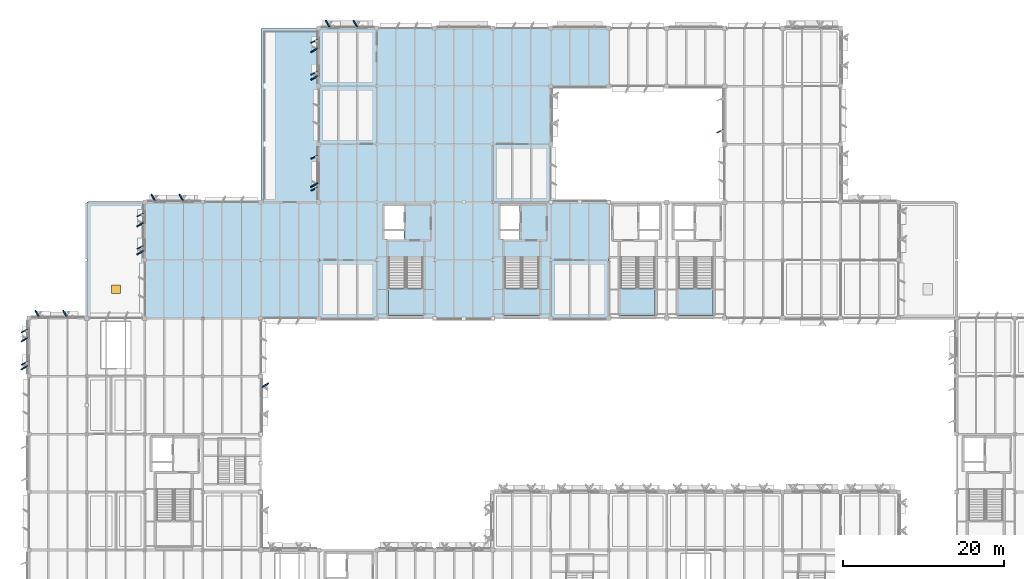
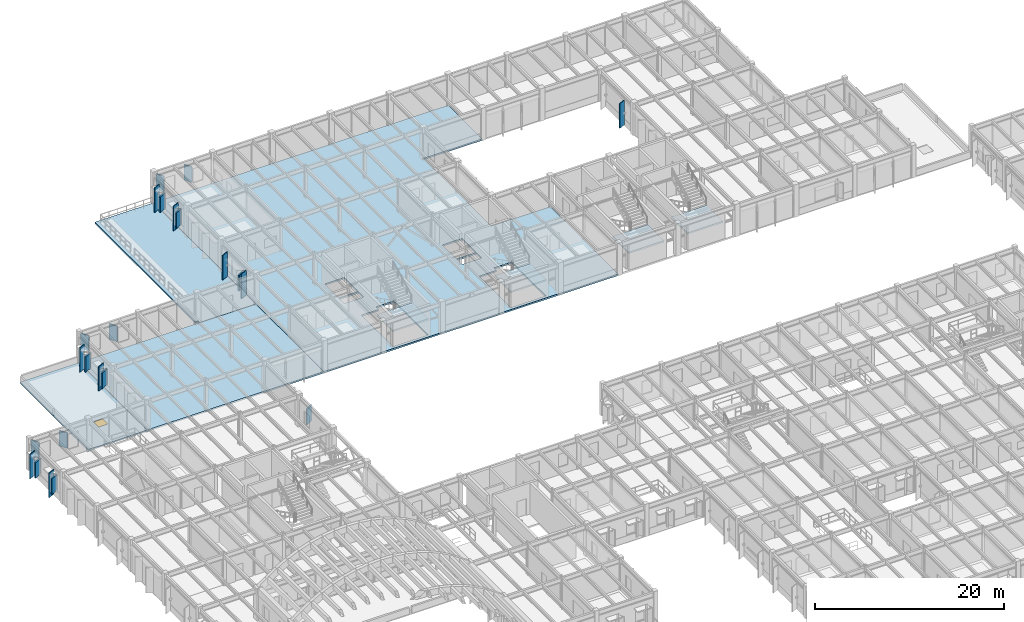
# One storey, part 27 of 85: 23 plates, 8 slabs, 1 door, 1 opening, 4 elements without a shape of their own.
"""IFC4 building model written with IfcOpenShell, lengths in metres."""

from ifc_helpers import new_model, si_unit, direction, frame, origin, origin_2d, place, context, subcontext, project, spatial, polyline, rectangle, outline, extrude, material, layer, layer_set, type_object, element, fill, aggregate, save


model = new_model("IFC4")

# Units and contexts
model_context = context("Model", 3, precision=1e-05, world=origin(), true_north=direction((0.0, 1.0)))
body_context = subcontext(model_context, "Body", "Model", "MODEL_VIEW")
ifc_project = project(units=[si_unit("LENGTHUNIT", "METRE"), si_unit("AREAUNIT", "SQUARE_METRE"), si_unit("VOLUMEUNIT", "CUBIC_METRE"), si_unit("PLANEANGLEUNIT", "RADIAN"), si_unit("MASSUNIT", "GRAM", prefix="KILO")], contexts=[model_context])

# Site, building, storey
site_placement = place(None, origin())
site = spatial("IfcSite", under=ifc_project, at=site_placement, CompositionType="ELEMENT")
building_placement = place(site_placement, origin())
building = spatial("IfcBuilding", under=site, at=building_placement, Name="Sillqori Civic Hall", CompositionType="ELEMENT")
storey_placement = place(building_placement, frame((0.0, 0.0, 9.89990234375)))
storey = spatial("IfcBuildingStorey", under=building, at=storey_placement, Name="L03", CompositionType="ELEMENT", Elevation=9.89990234375)

# Plates
ifc_material_1 = material(Name="Precast concrete C40/50 (H40)", Category="concrete")
ifc_layer_1 = layer(ifc_material_1, 0.159912109375)
ifc_layer_set_1 = layer_set([ifc_layer_1], Name="Precast concrete C40/50 (H40)")
plate_type_1 = type_object("IfcPlateType", Name="FIN-WEST-350", PredefinedType="USERDEFINED", material=ifc_layer_set_1)
for number, where, z_axis, x_axis, name in (
    (1, (6.64501953125, 73.590087890625, 0.150146484375), (0.0, 0.0, 1.0), (-0.422618261741, 0.906307787037, 0.0), "L03 west brise-soleil fin L03-01-10-W.1"),
    (2, (6.64501953125, 77.610107421875, 0.150146484375), (0.0, 0.0, 1.0), (-0.422618261741, 0.906307787037, 0.0), "L03 west brise-soleil fin L03-01-10-W.2"),
):
    element("IfcPlate", number, at=place(storey_placement, frame(where, z_axis=z_axis, x_axis=x_axis)), inside=storey, type_object=plate_type_1, Name=name, ObjectType="SOLAR_FIN", PredefinedType="USERDEFINED", context=body_context, shape_type="SweptSolid", body=[
        extrude(rectangle(XDim=0.090087890625, YDim=0.8798828125, at=origin_2d()), origin(), (0.0, 0.0, 1.0), 3.18701171875),
    ])
for number, where, z_axis, x_axis, name in (
    (3, (21.034912109375, 87.989990234375, 0.150146484375), (0.0, 0.0, 1.0), (-0.422618261741, 0.906307787037, 0.0), "L03 west brise-soleil fin L03-03-12-W.1"),
    (4, (21.034912109375, 92.010009765625, 0.150146484375), (0.0, 0.0, 1.0), (-0.422618261741, 0.906307787037, 0.0), "L03 west brise-soleil fin L03-03-12-W.2"),
):
    element("IfcPlate", number, at=place(storey_placement, frame(where, z_axis=z_axis, x_axis=x_axis)), inside=storey, type_object=plate_type_1, Name=name, ObjectType="SOLAR_FIN", PredefinedType="USERDEFINED", context=body_context, shape_type="SweptSolid", body=[
        extrude(rectangle(XDim=0.090087890625, YDim=0.8798828125, at=origin_2d()), origin(), (0.0, 0.0, 1.0), 3.1669921875),
    ])
for number, where, z_axis, x_axis, name in (
    (5, (42.635009765625, 95.219970703125, 0.150146484375), (0.0, 0.0, 1.0), (-0.422618261741, 0.906307787037, 0.0), "L03 west brise-soleil fin L03-06-13-W.1"),
    (6, (42.635009765625, 99.179931640625, 0.150146484375), (0.0, 0.0, 1.0), (-0.422618261741, 0.906307787037, 0.0), "L03 west brise-soleil fin L03-06-13-W.2"),
    (7, (42.635009765625, 109.6201171875, 0.150146484375), (0.0, 0.0, 1.0), (-0.422618261741, 0.906307787037, 0.0), "L03 west brise-soleil fin L03-06-15-W.1"),
    (8, (42.635009765625, 113.580078125, 0.150146484375), (0.0, 0.0, 1.0), (-0.422618261741, 0.906307787037, 0.0), "L03 west brise-soleil fin L03-06-15-W.2"),
    (9, (93.034912109375, 102.419921875, 0.150146484375), (0.0, 0.0, 1.0), (-0.422618261741, 0.906307787037, 0.0), "L03 west brise-soleil fin L03-13-14-W.1"),
):
    element("IfcPlate", number, at=place(storey_placement, frame(where, z_axis=z_axis, x_axis=x_axis)), inside=storey, type_object=plate_type_1, Name=name, ObjectType="SOLAR_FIN", PredefinedType="USERDEFINED", context=body_context, shape_type="SweptSolid", body=[
        extrude(rectangle(XDim=0.090087890625, YDim=0.8798828125, at=origin_2d()), origin(), (0.0, 0.0, 1.0), 3.18701171875),
    ])
ifc_layer_2 = layer(ifc_material_1, 0.159912109375)
ifc_layer_set_2 = layer_set([ifc_layer_2], Name="Precast concrete C40/50 (H40)")
plate_type_2 = type_object("IfcPlateType", Name="REV-SAW-200", PredefinedType="USERDEFINED", material=ifc_layer_set_2)
for number, where, z_axis, x_axis, name in (
    (10, (8.236083984375, 79.75, 0.9501953125), (0.0, 0.0, 1.0), (0.866025403784, 0.5, 0.0), "Sawtooth stone window reveal L03-01-10-N.1"),
    (11, (11.694091796875, 79.75, 0.9501953125), (0.0, 0.0, 1.0), (0.866025403784, 0.5, 0.0), "Sawtooth stone window reveal L03-01-10-N.2"),
    (12, (6.64990234375, 73.048095703125, 0.9501953125), (0.0, 0.0, 1.0), (-0.5, 0.866025403784, 0.0), "Sawtooth stone window reveal L03-01-10-W.1"),
    (13, (6.64990234375, 76.531982421875, 0.9501953125), (0.0, 0.0, 1.0), (-0.5, 0.866025403784, 0.0), "Sawtooth stone window reveal L03-01-10-W.2"),
    (14, (22.64794921875, 94.159912109375, 0.9501953125), (0.0, 0.0, 1.0), (0.866025403784, 0.5, 0.0), "Sawtooth stone window reveal L03-03-12-N.1"),
    (15, (26.132080078125, 94.159912109375, 0.9501953125), (0.0, 0.0, 1.0), (0.866025403784, 0.5, 0.0), "Sawtooth stone window reveal L03-03-12-N.2"),
    (16, (21.0400390625, 87.347900390625, 0.900146484375), (0.0, 0.0, 1.0), (-0.5, 0.866025403784, 0.0), "Sawtooth stone window reveal L03-03-12-W.1"),
    (17, (21.0400390625, 90.83203125, 0.900146484375), (0.0, 0.0, 1.0), (-0.5, 0.866025403784, 0.0), "Sawtooth stone window reveal L03-03-12-W.2"),
    (18, (36.550048828125, 70.8759765625, 0.800048828125), (0.0, 0.0, 1.0), (0.5, -0.866025403784, 0.0), "Sawtooth stone window reveal L03-04-09-E.1"),
    (19, (42.639892578125, 95.739990234375, 0.900146484375), (0.0, 0.0, 1.0), (-0.5, 0.866025403784, 0.0), "Sawtooth stone window reveal L03-06-13-W.1"),
    (20, (44.299072265625, 115.760009765625, 0.875), (0.0, 0.0, 1.0), (0.866025403784, 0.5, 0.0), "Sawtooth stone window reveal L03-06-15-N.1"),
    (21, (47.73095703125, 115.760009765625, 0.875), (0.0, 0.0, 1.0), (0.866025403784, 0.5, 0.0), "Sawtooth stone window reveal L03-06-15-N.2"),
    (22, (42.639892578125, 109.049072265625, 0.875), (0.0, 0.0, 1.0), (-0.5, 0.866025403784, 0.0), "Sawtooth stone window reveal L03-06-15-W.1"),
    (23, (42.639892578125, 112.48095703125, 0.875), (0.0, 0.0, 1.0), (-0.5, 0.866025403784, 0.0), "Sawtooth stone window reveal L03-06-15-W.2"),
):
    element("IfcPlate", number, at=place(storey_placement, frame(where, z_axis=z_axis, x_axis=x_axis)), inside=storey, type_object=plate_type_2, Name=name, ObjectType="REVEAL_PANEL", PredefinedType="USERDEFINED", context=body_context, shape_type="SweptSolid", body=[
        extrude(rectangle(XDim=0.159912109375, YDim=0.97998046875, at=origin_2d()), origin(), (0.0, 0.0, 1.0), 2.0),
    ])

# Slabs
ifc_material_2 = material(Name="Concrete C30/37 (H30)", Category="concrete")
ifc_layer_3 = layer(ifc_material_2, 0.199951171875)
ifc_layer_set_3 = layer_set([ifc_layer_3], Name="Concrete C30/37 (H30)")
slab_type_1 = type_object("IfcSlabType", Name="SLB-FLR-200", PredefinedType="FLOOR", material=ifc_layer_set_3)
slab_1_placement = place(storey_placement, frame((0.0, 0.0, -0.199951171875)))
element("IfcSlab", 24, at=slab_1_placement, inside=storey, type_object=slab_type_1, Name="L03 V4 composite floor slab 0.1", PredefinedType="FLOOR", context=body_context, shape_type="SweptSolid", body=[
    extrude(outline(polyline([(21.60009765625, 93.60009765625), (28.800048828125, 93.60009765625), (36.0, 93.60009765625), (43.199951171875, 93.60009765625), (43.199951171875, 86.39990234375), (43.199951171875, 79.199951171875), (36.0, 79.199951171875), (28.800048828125, 79.199951171875), (21.60009765625, 79.199951171875), (21.60009765625, 86.39990234375), (21.60009765625, 93.60009765625)])), origin(), (0.0, 0.0, 1.0), 0.199951171875),
])
slab_2_placement = place(storey_placement, frame((0.0, 0.0, -0.199951171875)))
element("IfcSlab", 25, at=slab_2_placement, inside=storey, type_object=slab_type_1, Name="L03 V4 composite floor slab 1.1", PredefinedType="FLOOR", context=body_context, shape_type="SweptSolid", body=[
    extrude(outline(polyline([(43.199951171875, 108.0), (43.199951171875, 115.199951171875), (50.39990234375, 115.199951171875), (57.60009765625, 115.199951171875), (64.800048828125, 115.199951171875), (72.0, 115.199951171875), (79.199951171875, 115.199951171875), (79.199951171875, 108.0), (72.0, 108.0), (72.0, 100.800048828125), (72.0, 93.60009765625), (79.199951171875, 93.60009765625), (79.199951171875, 86.39990234375), (79.199951171875, 79.199951171875), (72.0, 79.199951171875), (64.800048828125, 79.199951171875), (57.60009765625, 79.199951171875), (50.39990234375, 79.199951171875), (43.199951171875, 79.199951171875), (43.199951171875, 86.39990234375), (43.199951171875, 93.60009765625), (43.199951171875, 100.800048828125), (43.199951171875, 108.0)]), holes=[polyline([(53.9599609375, 86.219970703125), (51.860107421875, 86.219970703125), (51.860107421875, 79.550048828125), (56.139892578125, 79.550048828125), (56.139892578125, 86.77001953125), (53.9599609375, 86.77001953125), (53.9599609375, 86.219970703125)]), polyline([(68.360107421875, 86.219970703125), (66.260009765625, 86.219970703125), (66.260009765625, 79.550048828125), (70.5400390625, 79.550048828125), (70.5400390625, 86.77001953125), (68.360107421875, 86.77001953125), (68.360107421875, 86.219970703125)]), polyline([(53.75, 89.0), (53.75, 90.10009765625), (51.35009765625, 90.10009765625), (51.35009765625, 89.0), (53.75, 89.0)]), polyline([(68.14990234375, 89.0), (68.14990234375, 90.10009765625), (65.75, 90.10009765625), (65.75, 89.0), (68.14990234375, 89.0)]), polyline([(53.75, 90.25), (53.75, 93.14990234375), (51.35009765625, 93.14990234375), (51.35009765625, 90.25), (53.75, 90.25)]), polyline([(68.14990234375, 90.25), (68.14990234375, 93.14990234375), (65.75, 93.14990234375), (65.75, 90.25), (68.14990234375, 90.25)])]), origin(), (0.0, 0.0, 1.0), 0.199951171875),
])

# Stair, slab
ifc_material_3 = material(Name="Concrete C35/45 (H35)", Category="concrete")
stair_type_1 = type_object("IfcStairType", Name="STR-CORE-05", PredefinedType="DOUBLE_RETURN_STAIR", material=ifc_material_3)
stair_1_placement = place(storey_placement, origin())
stair_1 = element("IfcStair", 26, at=stair_1_placement, inside=storey, type_object=stair_type_1, Name="L03 Core exit stair ST-05", PredefinedType="DOUBLE_RETURN_STAIR")
ifc_layer_4 = layer(ifc_material_3, 0.199951171875)
ifc_layer_set_4 = layer_set([ifc_layer_4], Name="Concrete C35/45 (H35)")
slab_type_2 = type_object("IfcSlabType", Name="SLB-LND-220", PredefinedType="LANDING", material=ifc_layer_set_4)
slab_3_placement = place(storey_placement, frame((0.0, 0.0, 1.900146484375)))
slab_3 = element("IfcSlab", 27, at=slab_3_placement, type_object=slab_type_2, Name="ST-05 landing 1", PredefinedType="LANDING", context=body_context, shape_type="SweptSolid", body=[
    extrude(outline(polyline([(51.824951171875, 82.929931640625), (51.824951171875, 79.514892578125), (56.175048828125, 79.514892578125), (56.175048828125, 82.929931640625), (51.824951171875, 82.929931640625)])), origin(), (0.0, 0.0, 1.0), 0.199951171875),
])
aggregate(stair_1, [slab_3])

stair_type_2 = type_object("IfcStairType", Name="STR-CORE-06", PredefinedType="DOUBLE_RETURN_STAIR", material=ifc_material_3)
stair_2_placement = place(storey_placement, origin())
stair_2 = element("IfcStair", 28, at=stair_2_placement, inside=storey, type_object=stair_type_2, Name="L03 Core exit stair ST-06", PredefinedType="DOUBLE_RETURN_STAIR")
slab_4_placement = place(storey_placement, frame((0.0, 0.0, 1.900146484375)))
slab_4 = element("IfcSlab", 29, at=slab_4_placement, type_object=slab_type_2, Name="ST-06 landing 1", PredefinedType="LANDING", context=body_context, shape_type="SweptSolid", body=[
    extrude(outline(polyline([(66.22509765625, 82.929931640625), (66.22509765625, 79.514892578125), (70.574951171875, 79.514892578125), (70.574951171875, 82.929931640625), (66.22509765625, 82.929931640625)])), origin(), (0.0, 0.0, 1.0), 0.199951171875),
])
aggregate(stair_2, [slab_4])

stair_type_3 = type_object("IfcStairType", Name="STR-CORE-07", PredefinedType="DOUBLE_RETURN_STAIR", material=ifc_material_3)
stair_3_placement = place(storey_placement, origin())
stair_3 = element("IfcStair", 30, at=stair_3_placement, inside=storey, type_object=stair_type_3, Name="L03 Core exit stair ST-07", PredefinedType="DOUBLE_RETURN_STAIR")
slab_5_placement = place(storey_placement, frame((0.0, 0.0, 1.900146484375)))
slab_5 = element("IfcSlab", 31, at=slab_5_placement, type_object=slab_type_2, Name="ST-07 landing 1", PredefinedType="LANDING", context=body_context, shape_type="SweptSolid", body=[
    extrude(outline(polyline([(80.625, 82.929931640625), (80.625, 79.514892578125), (84.97509765625, 79.514892578125), (84.97509765625, 82.929931640625), (80.625, 82.929931640625)])), origin(), (0.0, 0.0, 1.0), 0.199951171875),
])
aggregate(stair_3, [slab_5])

stair_type_4 = type_object("IfcStairType", Name="STR-CORE-08", PredefinedType="DOUBLE_RETURN_STAIR", material=ifc_material_3)
stair_4_placement = place(storey_placement, origin())
stair_4 = element("IfcStair", 32, at=stair_4_placement, inside=storey, type_object=stair_type_4, Name="L03 Core exit stair ST-08", PredefinedType="DOUBLE_RETURN_STAIR")
slab_6_placement = place(storey_placement, frame((0.0, 0.0, 1.900146484375)))
slab_6 = element("IfcSlab", 33, at=slab_6_placement, type_object=slab_type_2, Name="ST-08 landing 1", PredefinedType="LANDING", context=body_context, shape_type="SweptSolid", body=[
    extrude(outline(polyline([(87.824951171875, 82.929931640625), (87.824951171875, 79.514892578125), (92.175048828125, 79.514892578125), (92.175048828125, 82.929931640625), (87.824951171875, 82.929931640625)])), origin(), (0.0, 0.0, 1.0), 0.199951171875),
])
aggregate(stair_4, [slab_6])

# Slab, opening, door
ifc_layer_5 = layer(ifc_material_2, 0.199951171875)
ifc_layer_set_5 = layer_set([ifc_layer_5], Name="Concrete C30/37 (H30)")
slab_type_3 = type_object("IfcSlabType", Name="SLB-ROOF-200", PredefinedType="ROOF", material=ifc_layer_set_5)
slab_7_placement = place(storey_placement, frame((0.0, 0.0, -0.199951171875)))
slab_7 = element("IfcSlab", 34, at=slab_7_placement, inside=storey, type_object=slab_type_3, Name="L03 flat structural roof over L02 3", PredefinedType="ROOF", context=body_context, shape_type="SweptSolid", body=[
    extrude(outline(polyline([(14.39990234375, 93.60009765625), (21.60009765625, 93.60009765625), (21.60009765625, 86.39990234375), (21.60009765625, 79.199951171875), (14.39990234375, 79.199951171875), (14.39990234375, 86.39990234375), (14.39990234375, 93.60009765625)]), holes=[polyline([(17.449951171875, 82.25), (17.449951171875, 83.35009765625), (18.550048828125, 83.35009765625), (18.550048828125, 82.25), (17.449951171875, 82.25)])]), origin(), (0.0, 0.0, 1.0), 0.199951171875),
])
opening_placement = place(slab_7_placement, frame((18.0, 82.800048828125, 0.0)))
opening = element("IfcOpeningElement", 35, at=opening_placement, cuts=slab_7, Name="Opening TH-01", PredefinedType="OPENING", context=body_context, shape_type="SweptSolid", body=[
    extrude(rectangle(XDim=1.10009765625, YDim=1.10009765625, at=origin_2d()), frame((0.0, 0.0, -0.010009765625)), (0.0, 0.0, 1.0), 0.219970703125),
])
ifc_material_4 = material(Name="Galvanized Insulated Steel", Category="steel")
door_type = type_object("IfcDoorType", Name="TRP-ROOF-110X110", OperationType="NOTDEFINED", PredefinedType="TRAPDOOR", material=ifc_material_4)
door_placement = place(opening_placement, frame((0.0, 0.0, 0.14990234375)))
door = element("IfcDoor", 36, at=door_placement, inside=storey, type_object=door_type, Name="L03 maintenance roof access hatch 09", OperationType="SINGLE_SWING_LEFT", OverallHeight=1.10009765625, OverallWidth=1.10009765625, PredefinedType="TRAPDOOR", context=body_context, shape_type="SweptSolid", body=[
    extrude(rectangle(XDim=1.10009765625, YDim=1.10009765625, at=origin_2d()), origin(), (0.0, 0.0, 1.0), 0.050048828125),
])
fill(opening, door)

# Slab
ifc_layer_6 = layer(ifc_material_3, 0.199951171875)
ifc_layer_set_6 = layer_set([ifc_layer_6], Name="Concrete C35/45 (H35)")
slab_type_4 = type_object("IfcSlabType", Name="SLB-TER-200", PredefinedType="FLOOR", material=ifc_layer_set_6)
slab_8_placement = place(storey_placement, frame((0.0, 0.0, -0.199951171875)))
element("IfcSlab", 37, at=slab_8_placement, inside=storey, type_object=slab_type_4, Name="Planning West Setback Terrace", PredefinedType="FLOOR", context=body_context, shape_type="SweptSolid", body=[
    extrude(outline(polyline([(36.0, 115.199951171875), (43.199951171875, 115.199951171875), (43.199951171875, 93.60009765625), (36.35009765625, 93.60009765625), (36.35009765625, 93.949951171875), (36.0, 93.949951171875), (36.0, 115.199951171875)])), origin(), (0.0, 0.0, 1.0), 0.199951171875),
])

save(model, "model.ifc")
